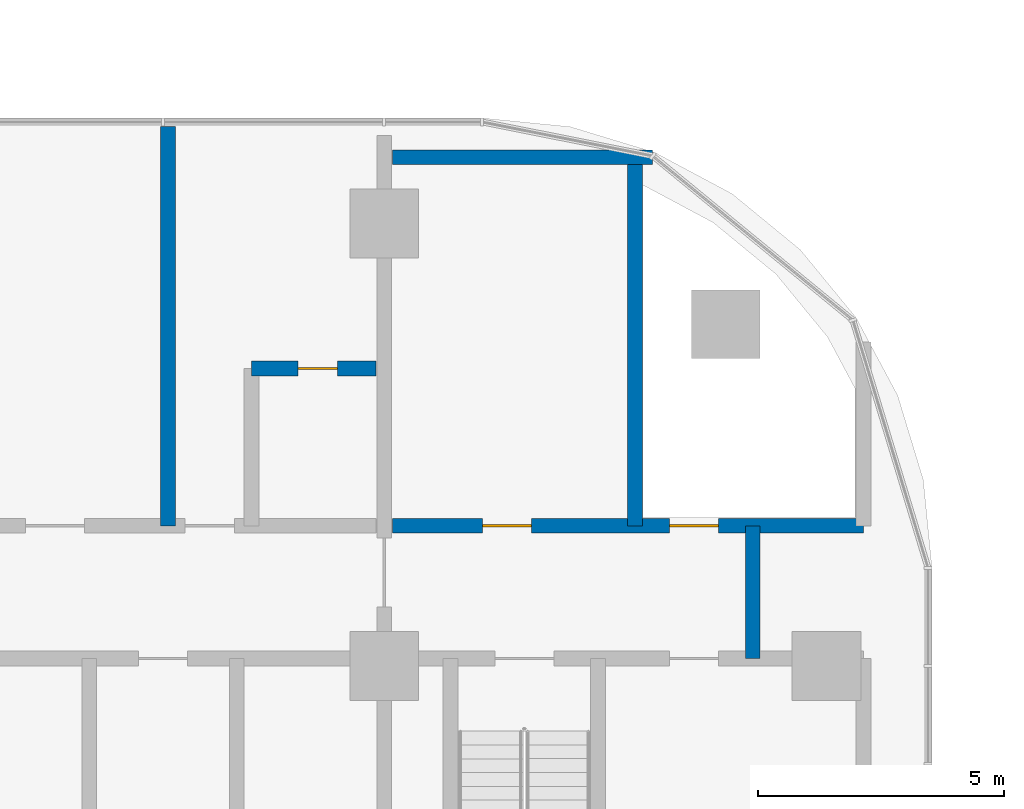
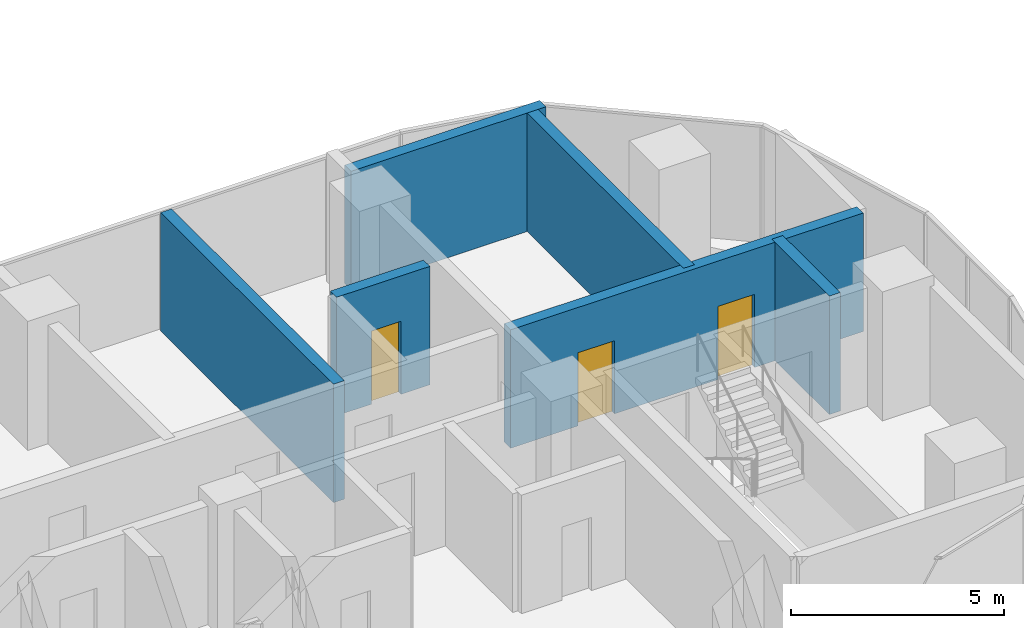
# One storey, part 18 of 32: 6 walls, 3 doors, 3 openings.
"""IFC4 building model written with IfcOpenShell, lengths in metres."""

from ifc_helpers import new_model, si_unit, direction, frame, frame_2d, origin, place, context, subcontext, project, spatial, rectangle, extrude, material, layer, layer_set, type_object, element, fill, save


model = new_model("IFC4")

# Units and contexts
model_context = context("Model", 3, precision=1e-05, world=origin(), true_north=direction((0.0, 1.0)))
body_context = subcontext(model_context, "Body", "Model", "MODEL_VIEW")
ifc_project = project(units=[si_unit("LENGTHUNIT", "METRE"), si_unit("AREAUNIT", "SQUARE_METRE"), si_unit("VOLUMEUNIT", "CUBIC_METRE"), si_unit("PLANEANGLEUNIT", "RADIAN"), si_unit("MASSUNIT", "GRAM", prefix="KILO")], contexts=[model_context])

# Site, building, storey
site_placement = place(None, origin())
site = spatial("IfcSite", under=ifc_project, at=site_placement, CompositionType="ELEMENT")
building_placement = place(site_placement, origin())
building = spatial("IfcBuilding", under=site, at=building_placement, Name="Ogive Portal Towers", CompositionType="ELEMENT")
storey_placement = place(building_placement, frame((0.0, 0.0, 55.699951171875)))
storey = spatial("IfcBuildingStorey", under=building, at=storey_placement, Name="L12", CompositionType="ELEMENT", Elevation=55.699951171875)

# Wall, openings, doors
ifc_material_1 = material(Name="Gypsum board partition on steel studs", Category="steel")
ifc_layer_1 = layer(ifc_material_1, 0.300048828125)
ifc_layer_set_1 = layer_set([ifc_layer_1], Name="WT-PART-300-EI 120")
wall_type_1 = type_object("IfcWallType", Name="WT-PART-300-EI 120", PredefinedType="PARTITIONING", material=ifc_layer_set_1)
wall_1_placement = place(storey_placement, frame((85.669921875, 33.35009765625, 0.0), z_axis=(0.0, 0.0, 1.0), x_axis=(1.0, 0.0, 0.0)))
wall_1 = element("IfcWall", 1, at=wall_1_placement, inside=storey, type_object=wall_type_1, Name="Wall L12:w009", PredefinedType="PARTITIONING", context=body_context, shape_type="SweptSolid", body=[
    extrude(rectangle(XDim=9.580078125, YDim=0.300048828125, at=frame_2d((4.7900390625, 0.0))), origin(), (0.0, 0.0, 1.0), 3.400146484375),
])
opening_1_placement = place(wall_1_placement, frame((1.830078125, 0.0, 0.0)))
opening_1 = element("IfcOpeningElement", 2, at=opening_1_placement, cuts=wall_1, Name="Opening D03-059", PredefinedType="OPENING", context=body_context, shape_type="SweptSolid", body=[
    extrude(rectangle(XDim=1.0, YDim=2.10009765625, at=frame_2d((0.5, 1.050048828125))), frame((0.0, 0.16015625, 0.0), z_axis=(0.0, -1.0, 0.0), x_axis=(1.0, 0.0, 0.0)), (0.0, 0.0, 1.0), 0.320068359375),
])
opening_2_placement = place(wall_1_placement, frame((5.6298828125, 0.0, 0.0)))
opening_2 = element("IfcOpeningElement", 3, at=opening_2_placement, cuts=wall_1, Name="Opening D03-060", PredefinedType="OPENING", context=body_context, shape_type="SweptSolid", body=[
    extrude(rectangle(XDim=1.0, YDim=2.10009765625, at=frame_2d((0.5, 1.050048828125))), frame((0.0, 0.16015625, 0.0), z_axis=(0.0, -1.0, 0.0), x_axis=(1.0, 0.0, 0.0)), (0.0, 0.0, 1.0), 0.320068359375),
])
ifc_material_2 = material(Name="Steel fire door", Category="steel")
door_type_1 = type_object("IfcDoorType", Name="DT-SERVICE-1000x2100-FD90S", OperationType="SINGLE_SWING_LEFT", PredefinedType="DOOR", material=ifc_material_2)
door_1_placement = place(opening_1_placement, origin())
door_1 = element("IfcDoor", 4, at=door_1_placement, inside=storey, type_object=door_type_1, Name="Door D03-059", OperationType="SINGLE_SWING_LEFT", OverallHeight=2.10009765625, OverallWidth=1.0, PredefinedType="DOOR", context=body_context, shape_type="SweptSolid", body=[
    extrude(rectangle(XDim=1.0, YDim=2.10009765625, at=frame_2d((0.5, 1.050048828125))), frame((0.0, 0.02490234375, 0.0), z_axis=(0.0, -1.0, 0.0), x_axis=(1.0, 0.0, 0.0)), (0.0, 0.0, 1.0), 0.050048828125),
])
fill(opening_1, door_1)
door_2_placement = place(opening_2_placement, origin())
door_2 = element("IfcDoor", 5, at=door_2_placement, inside=storey, type_object=door_type_1, Name="Riser access door D03-060", OperationType="SINGLE_SWING_RIGHT", OverallHeight=2.10009765625, OverallWidth=1.0, PredefinedType="DOOR", context=body_context, shape_type="SweptSolid", body=[
    extrude(rectangle(XDim=1.0, YDim=2.10009765625, at=frame_2d((0.5, 1.050048828125))), frame((0.0, 0.02490234375, 0.0), z_axis=(0.0, -1.0, 0.0), x_axis=(1.0, 0.0, 0.0)), (0.0, 0.0, 1.0), 0.050048828125),
])
fill(opening_2, door_2)

# Wall
wall_2_placement = place(storey_placement, frame((93.0, 30.64990234375, 0.0), z_axis=(0.0, 0.0, 1.0), x_axis=(0.0, 1.0, 0.0)))
element("IfcWall", 6, at=wall_2_placement, inside=storey, type_object=wall_type_1, Name="Wall L12:w063", PredefinedType="PARTITIONING", context=body_context, shape_type="SweptSolid", body=[
    extrude(rectangle(XDim=2.7001953125, YDim=0.300048828125, at=frame_2d((1.35009765625, 0.0))), origin(), (0.0, 0.0, 1.0), 3.400146484375),
])

# Wall, opening, door
ifc_layer_2 = layer(ifc_material_1, 0.300048828125)
ifc_layer_set_2 = layer_set([ifc_layer_2], Name="WT-PART-300-EI 60")
wall_type_2 = type_object("IfcWallType", Name="WT-PART-300-EI 60", PredefinedType="PARTITIONING", material=ifc_layer_set_2)
wall_3_placement = place(storey_placement, frame((82.800048828125, 36.550048828125, 0.0), z_axis=(0.0, 0.0, 1.0), x_axis=(1.0, 0.0, 0.0)))
wall_3 = element("IfcWall", 7, at=wall_3_placement, inside=storey, type_object=wall_type_2, Name="Wall L12:w011", PredefinedType="PARTITIONING", context=body_context, shape_type="SweptSolid", body=[
    extrude(rectangle(XDim=2.530029296875, YDim=0.300048828125, at=frame_2d((1.26513671875, 0.0))), origin(), (0.0, 0.0, 1.0), 3.400146484375),
])
opening_3_placement = place(wall_3_placement, frame((0.949951171875, 0.0, 0.0)))
opening_3 = element("IfcOpeningElement", 8, at=opening_3_placement, cuts=wall_3, Name="Opening D03-038", PredefinedType="OPENING", context=body_context, shape_type="SweptSolid", body=[
    extrude(rectangle(XDim=0.800048828125, YDim=2.10009765625, at=frame_2d((0.39990234375, 1.050048828125))), frame((0.0, 0.16015625, 0.0), z_axis=(0.0, -1.0, 0.0), x_axis=(1.0, 0.0, 0.0)), (0.0, 0.0, 1.0), 0.320068359375),
])
door_type_2 = type_object("IfcDoorType", Name="DT-BATH-800x2100-FD60S", OperationType="SINGLE_SWING_LEFT", PredefinedType="DOOR", material=ifc_material_2)
door_3_placement = place(opening_3_placement, origin())
door_3 = element("IfcDoor", 9, at=door_3_placement, inside=storey, type_object=door_type_2, Name="Door D03-038", OperationType="SINGLE_SWING_LEFT", OverallHeight=2.10009765625, OverallWidth=0.800048828125, PredefinedType="DOOR", context=body_context, shape_type="SweptSolid", body=[
    extrude(rectangle(XDim=0.800048828125, YDim=2.10009765625, at=frame_2d((0.39990234375, 1.050048828125))), frame((0.0, 0.02490234375, 0.0), z_axis=(0.0, -1.0, 0.0), x_axis=(1.0, 0.0, 0.0)), (0.0, 0.0, 1.0), 0.050048828125),
])
fill(opening_3, door_3)

# Walls
wall_4_placement = place(storey_placement, frame((85.669921875, 40.85009765625, 0.0), z_axis=(0.0, 0.0, 1.0), x_axis=(1.0, 0.0, 0.0)))
element("IfcWall", 10, at=wall_4_placement, inside=storey, type_object=wall_type_2, Name="Wall L12:w014", PredefinedType="PARTITIONING", context=body_context, shape_type="SweptSolid", body=[
    extrude(rectangle(XDim=5.2919921875, YDim=0.300048828125, at=frame_2d((2.64599609375, 0.0))), origin(), (0.0, 0.0, 1.0), 3.400146484375),
])
wall_5_placement = place(storey_placement, frame((81.10009765625, 33.35009765625, 0.0), z_axis=(0.0, 0.0, 1.0), x_axis=(0.0, 1.0, 0.0)))
element("IfcWall", 11, at=wall_5_placement, inside=storey, type_object=wall_type_2, Name="Wall L12:w057", PredefinedType="PARTITIONING", context=body_context, shape_type="SweptSolid", body=[
    extrude(rectangle(XDim=8.125, YDim=0.300048828125, at=frame_2d((4.0625, 0.0))), origin(), (0.0, 0.0, 1.0), 3.400146484375),
])
wall_6_placement = place(storey_placement, frame((90.60009765625, 33.35009765625, 0.0), z_axis=(0.0, 0.0, 1.0), x_axis=(0.0, 1.0, 0.0)))
element("IfcWall", 12, at=wall_6_placement, inside=storey, type_object=wall_type_2, Name="Wall L12:w062", PredefinedType="PARTITIONING", context=body_context, shape_type="SweptSolid", body=[
    extrude(rectangle(XDim=7.35400390625, YDim=0.300048828125, at=frame_2d((3.677001953125, 0.0))), origin(), (0.0, 0.0, 1.0), 3.400146484375),
])

save(model, "model.ifc")
